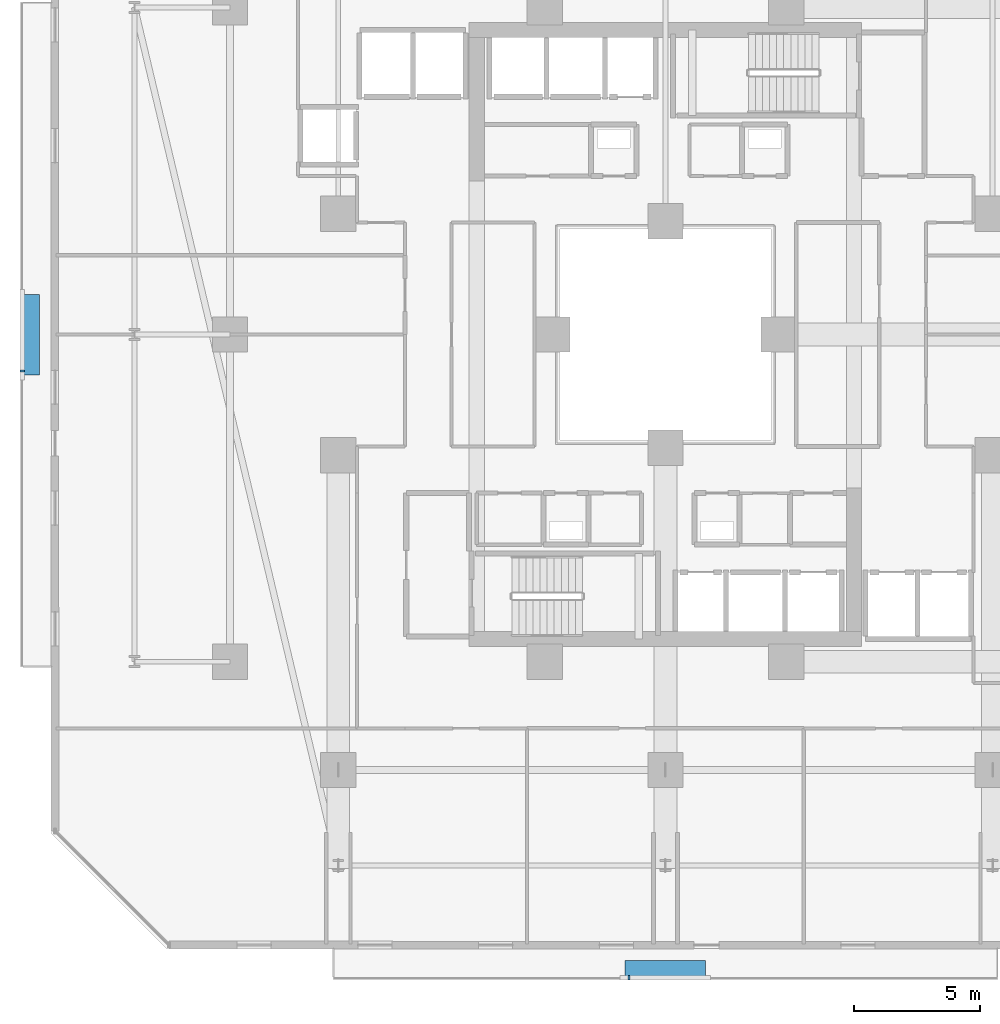
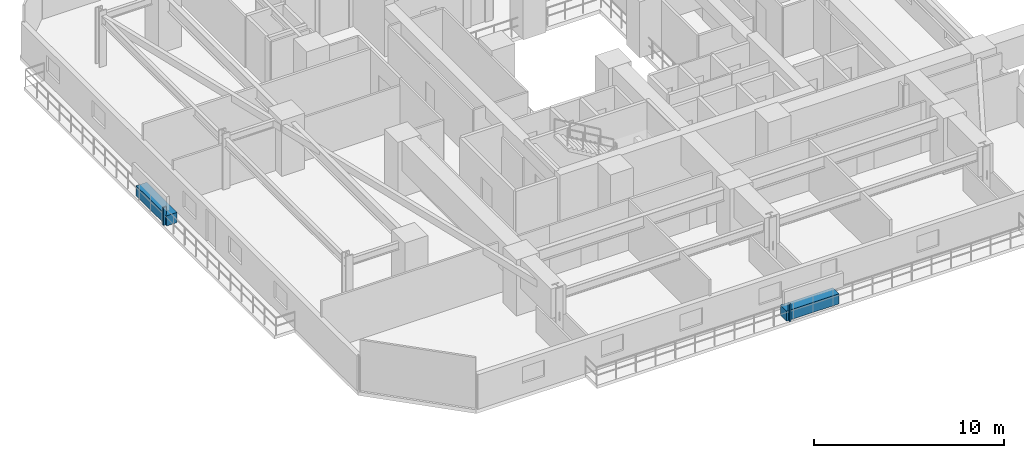
# One storey, part 30 of 36: 4 discrete accessories.
"""IFC4 building model written with IfcOpenShell, lengths in metres."""

from ifc_helpers import new_model, si_unit, direction, frame, origin, origin_2d, place, context, subcontext, project, spatial, rectangle, extrude, material, type_object, element, save


model = new_model("IFC4")

# Units and contexts
model_context = context("Model", 3, precision=1e-05, world=origin(), true_north=direction((0.0, 1.0)))
body_context = subcontext(model_context, "Body", "Model", "MODEL_VIEW")
ifc_project = project(units=[si_unit("LENGTHUNIT", "METRE"), si_unit("AREAUNIT", "SQUARE_METRE"), si_unit("VOLUMEUNIT", "CUBIC_METRE"), si_unit("PLANEANGLEUNIT", "RADIAN"), si_unit("MASSUNIT", "GRAM", prefix="KILO")], contexts=[model_context])

# Site, building, storey
site_placement = place(None, origin())
site = spatial("IfcSite", under=ifc_project, at=site_placement, CompositionType="ELEMENT")
building_placement = place(site_placement, origin())
building = spatial("IfcBuilding", under=site, at=building_placement, Name="Thornwick Lancets Civic Towers", CompositionType="ELEMENT")
storey_placement = place(building_placement, frame((0.0, 0.0, 45.89990234375)))
storey = spatial("IfcBuildingStorey", under=building, at=storey_placement, Name="L11", CompositionType="ELEMENT", Elevation=45.89990234375)

# Discrete accessories
ifc_material_1 = material(Name="Planted terracotta greenery planter", Category="masonry")
discrete_accessory_type_1 = type_object("IfcDiscreteAccessoryType", Name="ACC_PLANTER_BOX", PredefinedType="USERDEFINED", material=ifc_material_1)
discrete_accessory_1_placement = place(storey_placement, frame((25.5, 1.800048828125, 0.000244140625), z_axis=(0.0, 0.0, 1.0), x_axis=(1.0, 0.0, 0.0)))
element("IfcDiscreteAccessory", 1, at=discrete_accessory_1_placement, inside=storey, type_object=discrete_accessory_type_1, Name="L11 Tower A Balcony Greenery Planter S", ObjectType="PLANTER", PredefinedType="USERDEFINED", context=body_context, shape_type="SweptSolid", body=[
    extrude(rectangle(XDim=3.199951171875, YDim=0.64990234375, at=origin_2d()), origin(), (0.0, 0.0, 1.0), 0.64990234375),
])
discrete_accessory_2_placement = place(storey_placement, frame((0.300048828125, 27.0, 0.000244140625), z_axis=(0.0, 0.0, 1.0), x_axis=(1.0, 0.0, 0.0)))
element("IfcDiscreteAccessory", 2, at=discrete_accessory_2_placement, inside=storey, type_object=discrete_accessory_type_1, Name="L11 Tower A Balcony Greenery Planter W", ObjectType="PLANTER", PredefinedType="USERDEFINED", context=body_context, shape_type="SweptSolid", body=[
    extrude(rectangle(XDim=0.64990234375, YDim=3.199951171875, at=origin_2d()), origin(), (0.0, 0.0, 1.0), 0.64990234375),
])
ifc_material_2 = material(Name="Stainless steel S355", Category="steel")
discrete_accessory_type_2 = type_object("IfcDiscreteAccessoryType", Name="ACC_SCREEN_BRACKET", PredefinedType="BRACKET", material=ifc_material_2)
for number, where, z_axis, x_axis, name in (
    (3, (24.050048828125, 1.43994140625, 0.000244140625), (0.0, 0.0, 1.0), (1.0, 0.0, 0.0), "L11 Tower A Balcony Screen Stanchion Bracket S-1"),
    (4, (-0.06005859375, 25.550048828125, 0.000244140625), (0.0, 0.0, 1.0), (0.0, 1.0, 0.0), "L11 Tower A Balcony Screen Stanchion Bracket W-1"),
):
    element("IfcDiscreteAccessory", number, at=place(storey_placement, frame(where, z_axis=z_axis, x_axis=x_axis)), inside=storey, type_object=discrete_accessory_type_2, Name=name, PredefinedType="BRACKET", context=body_context, shape_type="SweptSolid", body=[
        extrude(rectangle(XDim=0.080078125, YDim=0.179931640625, at=origin_2d()), origin(), (0.0, 0.0, 1.0), 1.14990234375),
    ])

save(model, "model.ifc")
